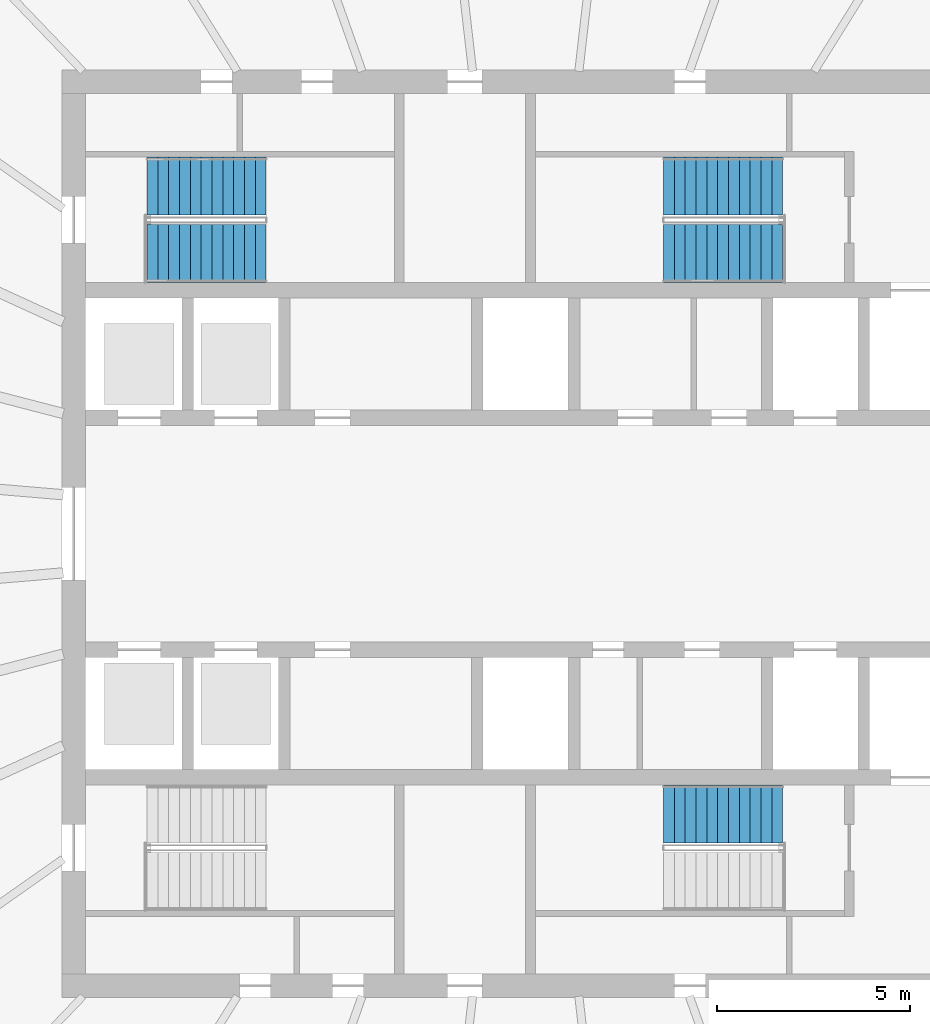
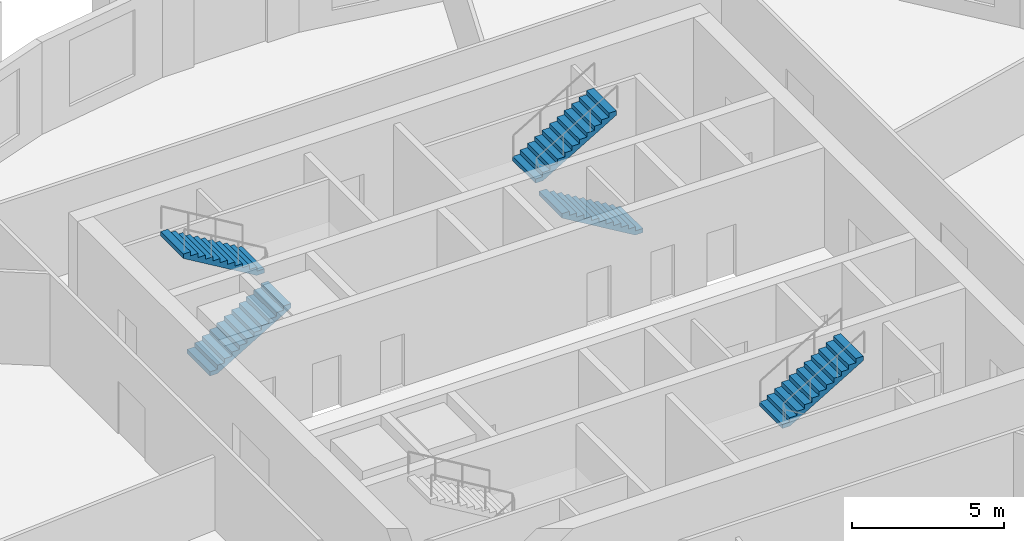
# One storey, part 7 of 10: 5 stair flights, 3 elements without a shape of their own.
"""IFC4 building model written with IfcOpenShell, lengths in metres."""

import ifcopenshell
import ifcopenshell.guid

model = None  # the IFC model being written
_history = None  # IfcOwnerHistory: only IFC2X3 demands one
_inside = {}  # id of a spatial element -> (the spatial element, [elements in it])
_under = {}  # id of a project, library or spatial element -> (it, [spatial elements below it])
_declared = {}  # id of a project -> (the project, [libraries it declares])
_typed = {}  # id of a type object -> (the type object, [elements of that type])
_made_of = {}  # id of a material, layer set ... -> (it, [elements and type objects made of it])


def new_model(schema):
    """Start an empty IFC model of exactly this schema.

    Asked for "IFC4X3", IfcOpenShell would pick the latest addendum, in which some entities
    have other attributes; the version numbers below select the first issue.
    IFC2X3 requires an IfcOwnerHistory on every rooted entity: one is made here for all.
    """
    global model, _history
    if schema == "IFC4X3":
        model = ifcopenshell.file(schema_version=(4, 3, 0, 0))
    else:
        model = ifcopenshell.file(schema=schema)
    _inside.clear()
    _under.clear()
    _declared.clear()
    _typed.clear()
    _made_of.clear()
    _history = None
    if model.schema == "IFC2X3":
        org = make("IfcOrganization", Name="unknown")
        user = make(
            "IfcPersonAndOrganization",
            ThePerson=make("IfcPerson", FamilyName="unknown"),
            TheOrganization=org,
        )
        app = make(
            "IfcApplication",
            ApplicationDeveloper=org,
            Version="unknown",
            ApplicationFullName="unknown",
            ApplicationIdentifier="unknown",
        )
        _history = make(
            "IfcOwnerHistory",
            OwningUser=user,
            OwningApplication=app,
            ChangeAction="ADDED",
            CreationDate=0,
        )
    return model


def make(cls, **values):
    """One entity of the class cls with the attributes given. An attribute that is None is left unset."""
    return model.create_entity(
        cls, **{name: value for name, value in values.items() if value is not None}
    )


def rooted(cls, **values):
    """An entity with a GlobalId (a new one), such as an element, a storey or a relation."""
    return make(cls, GlobalId=ifcopenshell.guid.new(), OwnerHistory=_history, **values)


def si_unit(unit_type, name, prefix=None):
    """IfcSIUnit, for example si_unit("LENGTHUNIT", "METRE", prefix="MILLI")."""
    return make("IfcSIUnit", UnitType=unit_type, Prefix=prefix, Name=name)


def assignment(units):
    """IfcUnitAssignment: the units of a project."""
    return None if units is None else make("IfcUnitAssignment", Units=units)


def point(xyz):
    """IfcCartesianPoint."""
    return None if xyz is None else make("IfcCartesianPoint", Coordinates=xyz)


def direction(xyz):
    """IfcDirection."""
    return None if xyz is None else make("IfcDirection", DirectionRatios=xyz)


def frame(location, z_axis=None, x_axis=None):
    """IfcAxis2Placement3D, a coordinate frame: its origin and axes. An axis left out is left unset."""
    return make(
        "IfcAxis2Placement3D",
        Location=point(location),
        Axis=direction(z_axis),
        RefDirection=direction(x_axis),
    )


def origin():
    """The frame at (0, 0, 0) with its axes left unset."""
    return frame((0.0, 0.0, 0.0))


def place(relative_to, where):
    """IfcLocalPlacement: puts the frame where relative to a parent placement (None: the world)."""
    return make(
        "IfcLocalPlacement", PlacementRelTo=relative_to, RelativePlacement=where
    )


def context(
    kind, dimensions, precision=None, world=None, true_north=None, identifier=None
):
    """IfcGeometricRepresentationContext, for example the 3D "Model" context."""
    return make(
        "IfcGeometricRepresentationContext",
        ContextIdentifier=identifier,
        ContextType=kind,
        CoordinateSpaceDimension=dimensions,
        Precision=precision,
        WorldCoordinateSystem=world,
        TrueNorth=true_north,
    )


def subcontext(parent, identifier, kind, view, scale=None):
    """IfcGeometricRepresentationSubContext, for example "Body" below "Model"."""
    return make(
        "IfcGeometricRepresentationSubContext",
        ContextIdentifier=identifier,
        ContextType=kind,
        ParentContext=parent,
        TargetScale=scale,
        TargetView=view,
    )


def project(units=None, contexts=None):
    """IfcProject with its units and contexts."""
    return rooted(
        "IfcProject",
        Name="project",
        RepresentationContexts=contexts,
        UnitsInContext=assignment(units),
    )


def spatial(cls, under=None, at=None, **own):
    """A site, building, storey or space (cls), placed at a placement, below another one or the project."""
    s = rooted(cls, ObjectPlacement=at, **own)
    if under is not None:
        _under.setdefault(under.id(), (under, []))[1].append(s)
    return s


def polyline(points):
    """IfcPolyline through the points."""
    return make("IfcPolyline", Points=[point(p) for p in points])


def outline(outer, holes=None, kind="AREA"):
    """IfcArbitraryClosedProfileDef: a profile drawn as a closed curve; with holes, ...WithVoids."""
    if holes is None:
        return make("IfcArbitraryClosedProfileDef", ProfileType=kind, OuterCurve=outer)
    return make(
        "IfcArbitraryProfileDefWithVoids",
        ProfileType=kind,
        OuterCurve=outer,
        InnerCurves=holes,
    )


def extrude(swept, where, along, depth):
    """IfcExtrudedAreaSolid: the profile swept, set in the frame where, extruded along a direction by depth."""
    return make(
        "IfcExtrudedAreaSolid",
        SweptArea=swept,
        Position=where,
        ExtrudedDirection=direction(along),
        Depth=depth,
    )


def shape(context_of_items, identifier, shape_type, items):
    """IfcShapeRepresentation: the items that make up one representation, for example the "Body"."""
    return make(
        "IfcShapeRepresentation",
        ContextOfItems=context_of_items,
        RepresentationIdentifier=identifier,
        RepresentationType=shape_type,
        Items=items,
    )


def material(Name=None, Category=None):
    """IfcMaterial."""
    return make("IfcMaterial", Name=Name, Category=Category)


def made_of(thing, what):
    """Note that an element or type object is made of a material, layer set ...; save() writes the relation."""
    if what is not None:
        _made_of.setdefault(what.id(), (what, []))[1].append(thing)
    return thing


def type_object(cls, material=None, **own):
    """A type object (cls), such as IfcWallType, which elements share."""
    return made_of(rooted(cls, **own), material)


def element(
    cls,
    number,
    at=None,
    inside=None,
    cuts=None,
    type_object=None,
    material=None,
    context=None,
    identifier="Body",
    shape_type=None,
    held_by="IfcProductDefinitionShape",
    body=None,
    shapes=None,
    **own,
):
    """One element of the class cls, such as IfcWall. Its Tag is "e" and its number.

    at: its placement. inside: the storey or other place that contains it. cuts: it is an
    opening in that element (IfcRelVoidsElement). A single representation is given by context,
    identifier, shape_type and body (its items); several are given by shapes. held_by: the class
    of the entity that holds the representations. save() writes the other relations.
    """
    e = rooted(cls, Tag="e%d" % number, ObjectPlacement=at, **own)
    if body is not None:
        shapes = [shape(context, identifier, shape_type, body)]
    if shapes is not None:
        e.Representation = make(held_by, Representations=shapes)
    if inside is not None:
        _inside.setdefault(inside.id(), (inside, []))[1].append(e)
    if cuts is not None:
        rooted(
            "IfcRelVoidsElement", RelatingBuildingElement=cuts, RelatedOpeningElement=e
        )
    if type_object is not None:
        _typed.setdefault(type_object.id(), (type_object, []))[1].append(e)
    return made_of(e, material)


def aggregate(whole, parts):
    """IfcRelAggregates: a whole, such as a stair, and the parts it consists of."""
    return rooted("IfcRelAggregates", RelatingObject=whole, RelatedObjects=parts)


def save(model, path):
    """Write the relations noted so far, then the file.

    IfcRelAggregates (storeys below a building ...), IfcRelContainedInSpatialStructure (elements
    in a storey), IfcRelDefinesByType, IfcRelAssociatesMaterial and IfcRelDeclares: one each for
    every whole, place, type object, material and project.
    """
    for whole, parts in _under.values():
        aggregate(whole, parts)
    for where, things in _inside.values():
        rooted(
            "IfcRelContainedInSpatialStructure",
            RelatedElements=things,
            RelatingStructure=where,
        )
    for kind, things in _typed.values():
        rooted("IfcRelDefinesByType", RelatedObjects=things, RelatingType=kind)
    for what, things in _made_of.values():
        rooted("IfcRelAssociatesMaterial", RelatedObjects=things, RelatingMaterial=what)
    for by, libraries in _declared.values():
        rooted("IfcRelDeclares", RelatingContext=by, RelatedDefinitions=libraries)
    model.write(path)


model = new_model("IFC4")

# Units and contexts
model_context = context("Model", 3, precision=1e-05, world=origin(), true_north=direction((0.0, 1.0)))
body_context = subcontext(model_context, "Body", "Model", "MODEL_VIEW")
ifc_project = project(units=[si_unit("LENGTHUNIT", "METRE"), si_unit("AREAUNIT", "SQUARE_METRE"), si_unit("VOLUMEUNIT", "CUBIC_METRE"), si_unit("PLANEANGLEUNIT", "RADIAN"), si_unit("MASSUNIT", "GRAM", prefix="KILO")], contexts=[model_context])

# Site, building, storey
site_placement = place(None, origin())
site = spatial("IfcSite", under=ifc_project, at=site_placement, CompositionType="ELEMENT")
building_placement = place(site_placement, origin())
building = spatial("IfcBuilding", under=site, at=building_placement, Name="Halqa Exchange Tower", CompositionType="ELEMENT")
storey_placement = place(building_placement, frame((0.0, 0.0, 292.300048828125)))
storey = spatial("IfcBuildingStorey", under=building, at=storey_placement, Name="L68", CompositionType="ELEMENT", Elevation=292.300048828125)

# Stair, stair flights
ifc_material = material(Name="Concrete C30/37", Category="concrete")
stair_type = type_object("IfcStairType", Name="Exit stair 1500 wide", PredefinedType="HALF_TURN_STAIR", material=ifc_material)
stair_1_placement = place(storey_placement, origin())
stair_1 = element("IfcStair", 1, at=stair_1_placement, inside=storey, type_object=stair_type, Name="Exit stair ST1", PredefinedType="HALF_TURN_STAIR")
stair_flight_type = type_object("IfcStairFlightType", Name="Stair flight 1500 wide", PredefinedType="STRAIGHT", material=ifc_material)
stair_flight_1_placement = place(storey_placement, frame((-9.800048828125, 7.25, 0.0), z_axis=(0.0, 0.0, 1.0), x_axis=(1.0, 0.0, 0.0)))
stair_flight_1 = element("IfcStairFlight", 2, at=stair_flight_1_placement, type_object=stair_flight_type, Name="ST1 flight 1", NumberOfRisers=12, NumberOfTreads=11, PredefinedType="STRAIGHT", RiserHeight=0.166666667, TreadLength=0.28, context=body_context, shape_type="SweptSolid", body=[
    extrude(outline(polyline([(0.0, 0.0), (0.0, 0.166748046875), (0.280029296875, 0.166748046875), (0.280029296875, 0.333251953125), (0.56005859375, 0.333251953125), (0.56005859375, 0.5), (0.840087890625, 0.5), (0.840087890625, 0.666748046875), (1.1201171875, 0.666748046875), (1.1201171875, 0.833251953125), (1.39990234375, 0.833251953125), (1.39990234375, 1.0), (1.679931640625, 1.0), (1.679931640625, 1.166748046875), (1.9599609375, 1.166748046875), (1.9599609375, 1.333251953125), (2.239990234375, 1.333251953125), (2.239990234375, 1.5), (2.52001953125, 1.5), (2.52001953125, 1.666748046875), (2.800048828125, 1.666748046875), (2.800048828125, 1.833251953125), (3.080078125, 1.833251953125), (3.080078125, 2.0), (3.080078125, 1.658935546875), (0.29296875, 0.0), (0.0, 0.0)])), frame((0.0, 0.75, 0.0), z_axis=(0.0, -1.0, 0.0), x_axis=(1.0, 0.0, 0.0)), (0.0, 0.0, 1.0), 1.5),
])
stair_flight_2_placement = place(storey_placement, frame((-6.719970703125, 9.0, 2.0), z_axis=(0.0, 0.0, 1.0), x_axis=(-1.0, 0.0, 0.0)))
stair_flight_2 = element("IfcStairFlight", 3, at=stair_flight_2_placement, type_object=stair_flight_type, Name="ST1 flight 2", NumberOfRisers=12, NumberOfTreads=11, PredefinedType="STRAIGHT", RiserHeight=0.166666667, TreadLength=0.28, context=body_context, shape_type="SweptSolid", body=[
    extrude(outline(polyline([(0.0, 0.0), (0.0, 0.166748046875), (0.280029296875, 0.166748046875), (0.280029296875, 0.333251953125), (0.56005859375, 0.333251953125), (0.56005859375, 0.5), (0.840087890625, 0.5), (0.840087890625, 0.666748046875), (1.1201171875, 0.666748046875), (1.1201171875, 0.833251953125), (1.39990234375, 0.833251953125), (1.39990234375, 1.0), (1.679931640625, 1.0), (1.679931640625, 1.166748046875), (1.9599609375, 1.166748046875), (1.9599609375, 1.333251953125), (2.239990234375, 1.333251953125), (2.239990234375, 1.5), (2.52001953125, 1.5), (2.52001953125, 1.666748046875), (2.800048828125, 1.666748046875), (2.800048828125, 1.833251953125), (3.080078125, 1.833251953125), (3.080078125, 2.0), (3.080078125, 1.658935546875), (0.29296875, 0.0), (0.0, 0.0)])), frame((0.0, 0.75, 0.0), z_axis=(0.0, -1.0, 0.0), x_axis=(1.0, 0.0, 0.0)), (0.0, 0.0, 1.0), 1.5),
])
aggregate(stair_1, [stair_flight_1, stair_flight_2])

stair_2_placement = place(storey_placement, origin())
stair_2 = element("IfcStair", 4, at=stair_2_placement, inside=storey, type_object=stair_type, Name="Exit stair ST2", PredefinedType="HALF_TURN_STAIR")
stair_flight_3_placement = place(storey_placement, frame((6.64990234375, 7.25, 0.0), z_axis=(0.0, 0.0, 1.0), x_axis=(-1.0, 0.0, 0.0)))
stair_flight_3 = element("IfcStairFlight", 5, at=stair_flight_3_placement, type_object=stair_flight_type, Name="ST2 flight 1", NumberOfRisers=12, NumberOfTreads=11, PredefinedType="STRAIGHT", RiserHeight=0.166666667, TreadLength=0.28, context=body_context, shape_type="SweptSolid", body=[
    extrude(outline(polyline([(0.0, 0.0), (0.0, 0.166748046875), (0.280029296875, 0.166748046875), (0.280029296875, 0.333251953125), (0.56005859375, 0.333251953125), (0.56005859375, 0.5), (0.840087890625, 0.5), (0.840087890625, 0.666748046875), (1.1201171875, 0.666748046875), (1.1201171875, 0.833251953125), (1.39990234375, 0.833251953125), (1.39990234375, 1.0), (1.679931640625, 1.0), (1.679931640625, 1.166748046875), (1.9599609375, 1.166748046875), (1.9599609375, 1.333251953125), (2.239990234375, 1.333251953125), (2.239990234375, 1.5), (2.52001953125, 1.5), (2.52001953125, 1.666748046875), (2.800048828125, 1.666748046875), (2.800048828125, 1.833251953125), (3.080078125, 1.833251953125), (3.080078125, 2.0), (3.080078125, 1.658935546875), (0.29296875, 0.0), (0.0, 0.0)])), frame((0.0, 0.75, 0.0), z_axis=(0.0, -1.0, 0.0), x_axis=(1.0, 0.0, 0.0)), (0.0, 0.0, 1.0), 1.5),
])
stair_flight_4_placement = place(storey_placement, frame((3.570068359375, 9.0, 2.0), z_axis=(0.0, 0.0, 1.0), x_axis=(1.0, 0.0, 0.0)))
stair_flight_4 = element("IfcStairFlight", 6, at=stair_flight_4_placement, type_object=stair_flight_type, Name="ST2 flight 2", NumberOfRisers=12, NumberOfTreads=11, PredefinedType="STRAIGHT", RiserHeight=0.166666667, TreadLength=0.28, context=body_context, shape_type="SweptSolid", body=[
    extrude(outline(polyline([(0.0, 0.0), (0.0, 0.166748046875), (0.280029296875, 0.166748046875), (0.280029296875, 0.333251953125), (0.56005859375, 0.333251953125), (0.56005859375, 0.5), (0.840087890625, 0.5), (0.840087890625, 0.666748046875), (1.1201171875, 0.666748046875), (1.1201171875, 0.833251953125), (1.39990234375, 0.833251953125), (1.39990234375, 1.0), (1.679931640625, 1.0), (1.679931640625, 1.166748046875), (1.9599609375, 1.166748046875), (1.9599609375, 1.333251953125), (2.239990234375, 1.333251953125), (2.239990234375, 1.5), (2.52001953125, 1.5), (2.52001953125, 1.666748046875), (2.800048828125, 1.666748046875), (2.800048828125, 1.833251953125), (3.080078125, 1.833251953125), (3.080078125, 2.0), (3.080078125, 1.658935546875), (0.29296875, 0.0), (0.0, 0.0)])), frame((0.0, 0.75, 0.0), z_axis=(0.0, -1.0, 0.0), x_axis=(1.0, 0.0, 0.0)), (0.0, 0.0, 1.0), 1.5),
])
aggregate(stair_2, [stair_flight_3, stair_flight_4])

# Stair, stair flight
stair_3_placement = place(storey_placement, origin())
stair_3 = element("IfcStair", 7, at=stair_3_placement, inside=storey, type_object=stair_type, Name="Exit stair ST4", PredefinedType="HALF_TURN_STAIR")
stair_flight_5_placement = place(storey_placement, frame((3.570068359375, -7.25, 2.0), z_axis=(0.0, 0.0, 1.0), x_axis=(1.0, 0.0, 0.0)))
stair_flight_5 = element("IfcStairFlight", 8, at=stair_flight_5_placement, type_object=stair_flight_type, Name="ST4 flight 2", NumberOfRisers=12, NumberOfTreads=11, PredefinedType="STRAIGHT", RiserHeight=0.166666667, TreadLength=0.28, context=body_context, shape_type="SweptSolid", body=[
    extrude(outline(polyline([(0.0, 0.0), (0.0, 0.166748046875), (0.280029296875, 0.166748046875), (0.280029296875, 0.333251953125), (0.56005859375, 0.333251953125), (0.56005859375, 0.5), (0.840087890625, 0.5), (0.840087890625, 0.666748046875), (1.1201171875, 0.666748046875), (1.1201171875, 0.833251953125), (1.39990234375, 0.833251953125), (1.39990234375, 1.0), (1.679931640625, 1.0), (1.679931640625, 1.166748046875), (1.9599609375, 1.166748046875), (1.9599609375, 1.333251953125), (2.239990234375, 1.333251953125), (2.239990234375, 1.5), (2.52001953125, 1.5), (2.52001953125, 1.666748046875), (2.800048828125, 1.666748046875), (2.800048828125, 1.833251953125), (3.080078125, 1.833251953125), (3.080078125, 2.0), (3.080078125, 1.658935546875), (0.29296875, 0.0), (0.0, 0.0)])), frame((0.0, 0.75, 0.0), z_axis=(0.0, -1.0, 0.0), x_axis=(1.0, 0.0, 0.0)), (0.0, 0.0, 1.0), 1.5),
])
aggregate(stair_3, [stair_flight_5])

save(model, "model.ifc")
